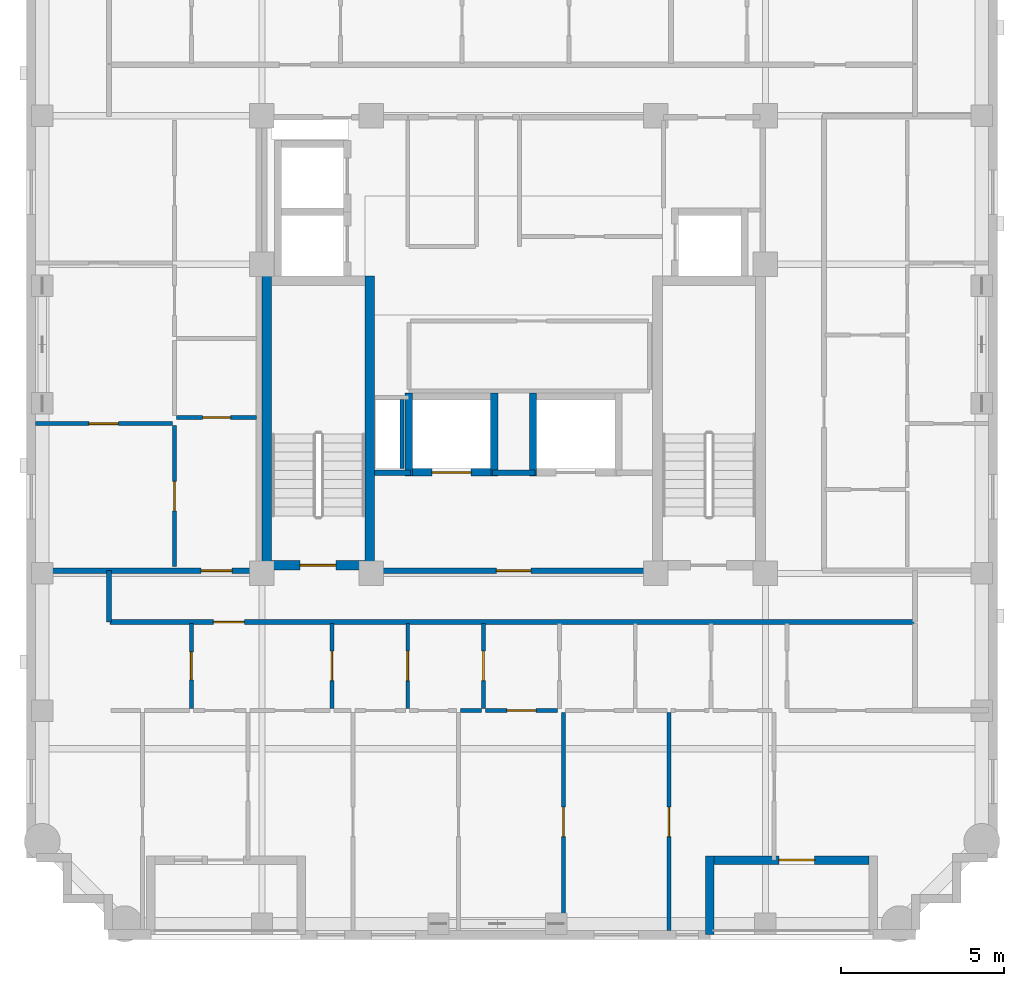
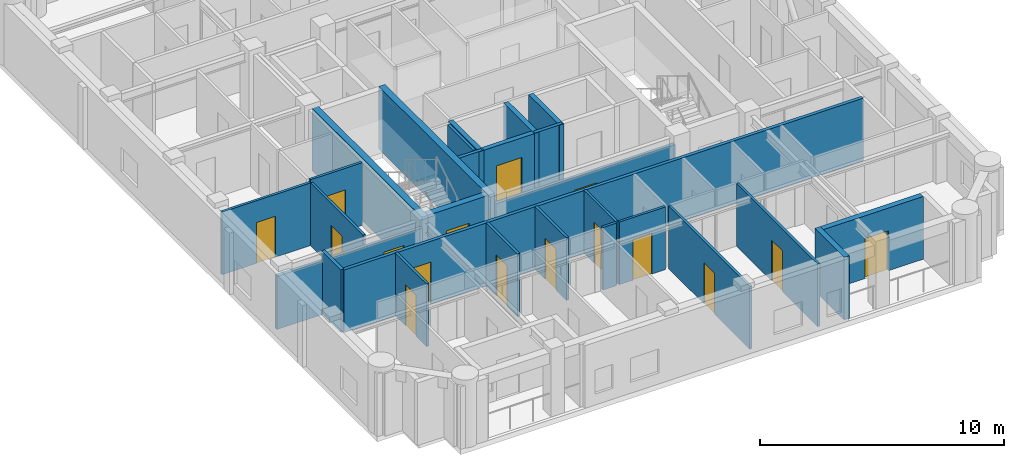
# One storey, part 3 of 11: 27 walls, 16 doors, 16 openings.
"""IFC4 building model written with IfcOpenShell, lengths in metres."""

from ifc_helpers import new_model, si_unit, derived_unit, direction, frame, frame_2d, origin, place, context, subcontext, project, spatial, rectangle, extrude, material, layer, layer_set, type_object, element, fill, save


model = new_model("IFC4")

# Units and contexts
model_context = context("Model", 3, precision=1e-05, world=origin(), true_north=direction((0.0, 1.0)))
body_context = subcontext(model_context, "Body", "Model", "MODEL_VIEW")
ifc_project = project(units=[si_unit("LENGTHUNIT", "METRE"), si_unit("AREAUNIT", "SQUARE_METRE"), si_unit("VOLUMEUNIT", "CUBIC_METRE"), si_unit("PLANEANGLEUNIT", "RADIAN"), si_unit("MASSUNIT", "GRAM", prefix="KILO"), derived_unit("THERMALTRANSMITTANCEUNIT", [(si_unit("MASSUNIT", "GRAM", prefix="KILO"), 1), (si_unit("TIMEUNIT", "SECOND"), -3), (si_unit("THERMODYNAMICTEMPERATUREUNIT", "KELVIN"), -1)])], contexts=[model_context])

# Site, building, storey
site_placement = place(None, origin())
site = spatial("IfcSite", under=ifc_project, at=site_placement, CompositionType="ELEMENT")
building_placement = place(site_placement, origin())
building = spatial("IfcBuilding", under=site, at=building_placement, Name="Korrvale Station Residences", CompositionType="ELEMENT")
storey_placement = place(building_placement, frame((0.0, 0.0, 224.10009765625)))
storey = spatial("IfcBuildingStorey", under=building, at=storey_placement, Name="L65", CompositionType="ELEMENT", Elevation=224.10009765625)

# Walls
ifc_material_1 = material(Name="Concrete C50/60", Category="concrete")
ifc_layer_1 = layer(ifc_material_1, 0.300048828125, Name="Concrete C50/60")
ifc_layer_set_1 = layer_set([ifc_layer_1], Name="Concrete C50/60")
wall_type_1 = type_object("IfcWallType", Name="WAL-CORE-300-C50", PredefinedType="SHEAR", material=ifc_layer_set_1)
for number, where, z_axis, x_axis, name in (
    (1, (17.949951171875, 15.10009765625, 0.0), (0.0, 0.0, 1.0), (0.0, 1.0, 0.0), "L65 ST-1 Core Shear Wall West"),
    (2, (21.10009765625, 15.10009765625, 0.0), (0.0, 0.0, 1.0), (0.0, 1.0, 0.0), "L65 ST-1 Core Shear Wall East"),
):
    element("IfcWall", number, at=place(storey_placement, frame(where, z_axis=z_axis, x_axis=x_axis)), inside=storey, type_object=wall_type_1, Name=name, PredefinedType="SHEAR", context=body_context, shape_type="SweptSolid", body=[
        extrude(rectangle(XDim=9.0, YDim=0.300048828125, at=frame_2d((4.5, 0.0))), origin(), (0.0, 0.0, 1.0), 3.139892578125),
    ])

# Wall, opening, door
wall_1_placement = place(storey_placement, frame((18.10009765625, 15.25, 0.0), z_axis=(0.0, 0.0, 1.0), x_axis=(1.0, 0.0, 0.0)))
wall_1 = element("IfcWall", 3, at=wall_1_placement, inside=storey, type_object=wall_type_1, Name="L65 ST-1 Core Shear Wall South", PredefinedType="SHEAR", context=body_context, shape_type="SweptSolid", body=[
    extrude(rectangle(XDim=2.849853515625, YDim=0.300048828125, at=frame_2d((1.4248046875, 0.0))), origin(), (0.0, 0.0, 1.0), 3.139892578125),
])
opening_1_placement = place(wall_1_placement, frame((0.860107421875, 0.0, 0.0)))
opening_1 = element("IfcOpeningElement", 4, at=opening_1_placement, cuts=wall_1, Name="Opening SD-1100", PredefinedType="OPENING", context=body_context, shape_type="SweptSolid", body=[
    extrude(rectangle(XDim=1.10009765625, YDim=2.050048828125, at=frame_2d((0.550048828125, 1.02490234375))), frame((0.0, 0.16015625, 0.0), z_axis=(0.0, -1.0, 0.0), x_axis=(1.0, 0.0, 0.0)), (0.0, 0.0, 1.0), 0.320068359375),
])
ifc_material_2 = material(Name="Hollow-metal fire-rated stair door with closer", Category="steel")
door_type_1 = type_object("IfcDoorType", Name="DR-STAIR-1100", OperationType="NOTDEFINED", PredefinedType="DOOR", material=ifc_material_2)
door_1_placement = place(opening_1_placement, origin())
door_1 = element("IfcDoor", 5, at=door_1_placement, inside=storey, type_object=door_type_1, Name="L65 ST-1 Exit Stair Door", OperationType="SINGLE_SWING_LEFT", OverallHeight=2.050048828125, OverallWidth=1.10009765625, PredefinedType="DOOR", context=body_context, shape_type="SweptSolid", body=[
    extrude(rectangle(XDim=1.10009765625, YDim=2.050048828125, at=frame_2d((0.550048828125, 1.02490234375))), frame((0.0, 0.02490234375, 0.0), z_axis=(0.0, -1.0, 0.0), x_axis=(1.0, 0.0, 0.0)), (0.0, 0.0, 1.0), 0.050048828125),
])
fill(opening_1, door_1)

ifc_material_3 = material(Name="Precast concrete C45/55", Category="concrete")
ifc_layer_2 = layer(ifc_material_3, 0.260009765625, Name="Precast concrete C45/55")
ifc_layer_set_2 = layer_set([ifc_layer_2], Name="Precast concrete C45/55")
wall_type_2 = type_object("IfcWallType", Name="WAL-EXT-LOG260", PredefinedType="SOLIDWALL", material=ifc_layer_set_2)
wall_2_placement = place(storey_placement, frame((36.365966796875, 6.22998046875, 0.0), z_axis=(0.0, 0.0, 1.0), x_axis=(-1.0, 0.0, 0.0)))
wall_2 = element("IfcWall", 6, at=wall_2_placement, inside=storey, type_object=wall_type_2, Name="L65 Recessed Loggia Wall BAL-L65-S2-B", PredefinedType="SOLIDWALL", context=body_context, shape_type="SweptSolid", body=[
    extrude(rectangle(XDim=4.73193359375, YDim=0.260009765625, at=frame_2d((2.365966796875, 0.0))), origin(), (0.0, 0.0, 1.0), 3.139892578125),
])
opening_2_placement = place(wall_2_placement, frame((1.656005859375, 0.0, 0.0)))
opening_2 = element("IfcOpeningElement", 7, at=opening_2_placement, cuts=wall_2, Name="Opening BD-01", PredefinedType="OPENING", context=body_context, shape_type="SweptSolid", body=[
    extrude(rectangle(XDim=1.10009765625, YDim=2.0, at=frame_2d((0.550048828125, 1.0))), frame((0.0, 0.14013671875, 0.0), z_axis=(0.0, -1.0, 0.0), x_axis=(1.0, 0.0, 0.0)), (0.0, 0.0, 1.0), 0.280029296875),
])
ifc_material_4 = material(Name="Exterior thermally broken aluminium glazed balcony door", Category="aluminium")
door_type_2 = type_object("IfcDoorType", Name="DR-EXT-BAL", OperationType="NOTDEFINED", PredefinedType="DOOR", material=ifc_material_4)
door_2_placement = place(opening_2_placement, origin())
door_2 = element("IfcDoor", 8, at=door_2_placement, inside=storey, type_object=door_type_2, Name="L65 Loggia Balcony Door BAL-L65-S2", OperationType="SINGLE_SWING_RIGHT", OverallHeight=2.0, OverallWidth=1.10009765625, PredefinedType="DOOR", context=body_context, shape_type="SweptSolid", body=[
    extrude(rectangle(XDim=1.10009765625, YDim=2.0, at=frame_2d((0.550048828125, 1.0))), frame((0.0, 0.02490234375, 0.0), z_axis=(0.0, -1.0, 0.0), x_axis=(1.0, 0.0, 0.0)), (0.0, 0.0, 1.0), 0.050048828125),
])
fill(opening_2, door_2)

# Walls
wall_3_placement = place(storey_placement, frame((31.5, 6.360107421875, 0.0), z_axis=(0.0, 0.0, 1.0), x_axis=(0.0, -1.0, 0.0)))
element("IfcWall", 9, at=wall_3_placement, inside=storey, type_object=wall_type_2, Name="L65 Recessed Loggia Wall BAL-L65-S2-R", PredefinedType="SOLIDWALL", context=body_context, shape_type="SweptSolid", body=[
    extrude(rectangle(XDim=2.400146484375, YDim=0.260009765625, at=frame_2d((1.2001953125, 0.0))), origin(), (0.0, 0.0, 1.0), 3.139892578125),
])
ifc_material_5 = material(Name="Acoustic steel-stud gypsum board partition", Category="steel")
ifc_layer_3 = layer(ifc_material_5, 0.1201171875, Name="Acoustic steel-stud gypsum board partition")
ifc_layer_set_3 = layer_set([ifc_layer_3], Name="Acoustic steel-stud gypsum board partition")
wall_type_3 = type_object("IfcWallType", Name="WAL-PART-125", PredefinedType="PARTITIONING", material=ifc_layer_set_3)
wall_4_placement = place(storey_placement, frame((22.080078125, 18.199951171875, 0.0), z_axis=(0.0, 0.0, 1.0), x_axis=(0.0, 1.0, 0.0)))
element("IfcWall", 10, at=wall_4_placement, inside=storey, type_object=wall_type_3, Name="L65 Core Partition CW-RSWT", PredefinedType="PARTITIONING", context=body_context, shape_type="SweptSolid", body=[
    extrude(rectangle(XDim=2.1201171875, YDim=0.1201171875, at=frame_2d((1.06005859375, 0.0))), origin(), (0.0, 0.0, 1.0), 3.139892578125),
])

# Wall, opening, door
wall_5_placement = place(storey_placement, frame((15.639892578125, 10.8701171875, 0.0), z_axis=(0.0, 0.0, 1.0), x_axis=(0.0, 1.0, 0.0)))
wall_5 = element("IfcWall", 11, at=wall_5_placement, inside=storey, type_object=wall_type_3, Name="L65 Suite Partition U01-V01", PredefinedType="PARTITIONING", context=body_context, shape_type="SweptSolid", body=[
    extrude(rectangle(XDim=2.599853515625, YDim=0.1201171875, at=frame_2d((1.2998046875, 0.0))), origin(), (0.0, 0.0, 1.0), 3.139892578125),
])
opening_3_placement = place(wall_5_placement, frame((0.8701171875, 0.0, 0.0)))
opening_3 = element("IfcOpeningElement", 12, at=opening_3_placement, cuts=wall_5, Name="Opening DB-860", PredefinedType="OPENING", context=body_context, shape_type="SweptSolid", body=[
    extrude(rectangle(XDim=0.860107421875, YDim=2.050048828125, at=frame_2d((0.43017578125, 1.02490234375))), frame((0.0, 0.070068359375, 0.0), z_axis=(0.0, -1.0, 0.0), x_axis=(1.0, 0.0, 0.0)), (0.0, 0.0, 1.0), 0.14013671875),
])
ifc_material_6 = material(Name="Moisture-resistant solid-core bathroom door", Category="timber")
door_type_3 = type_object("IfcDoorType", Name="DR-BATH-860", OperationType="NOTDEFINED", PredefinedType="DOOR", material=ifc_material_6)
door_3_placement = place(opening_3_placement, origin())
door_3 = element("IfcDoor", 13, at=door_3_placement, inside=storey, type_object=door_type_3, Name="L65 Studio Apartment L65-U01 Bathroom Door", OperationType="SINGLE_SWING_LEFT", OverallHeight=2.050048828125, OverallWidth=0.860107421875, PredefinedType="DOOR", context=body_context, shape_type="SweptSolid", body=[
    extrude(rectangle(XDim=0.860107421875, YDim=2.050048828125, at=frame_2d((0.43017578125, 1.02490234375))), frame((0.0, 0.02490234375, 0.0), z_axis=(0.0, -1.0, 0.0), x_axis=(1.0, 0.0, 0.0)), (0.0, 0.0, 1.0), 0.050048828125),
])
fill(opening_3, door_3)

wall_6_placement = place(storey_placement, frame((19.93994140625, 10.8701171875, 0.0), z_axis=(0.0, 0.0, 1.0), x_axis=(0.0, 1.0, 0.0)))
wall_6 = element("IfcWall", 14, at=wall_6_placement, inside=storey, type_object=wall_type_3, Name="L65 Suite Partition U01-V12", PredefinedType="PARTITIONING", context=body_context, shape_type="SweptSolid", body=[
    extrude(rectangle(XDim=2.599853515625, YDim=0.1201171875, at=frame_2d((1.2998046875, 0.0))), origin(), (0.0, 0.0, 1.0), 3.139892578125),
])
opening_4_placement = place(wall_6_placement, frame((0.85009765625, 0.0, 0.0)))
opening_4 = element("IfcOpeningElement", 15, at=opening_4_placement, cuts=wall_6, Name="Opening DI-900", PredefinedType="OPENING", context=body_context, shape_type="SweptSolid", body=[
    extrude(rectangle(XDim=0.89990234375, YDim=2.050048828125, at=frame_2d((0.449951171875, 1.02490234375))), frame((0.0, 0.070068359375, 0.0), z_axis=(0.0, -1.0, 0.0), x_axis=(1.0, 0.0, 0.0)), (0.0, 0.0, 1.0), 0.14013671875),
])
ifc_material_7 = material(Name="Painted solid-core timber interior room door", Category="wood")
door_type_4 = type_object("IfcDoorType", Name="DR-INT-900", OperationType="NOTDEFINED", PredefinedType="DOOR", material=ifc_material_7)
door_4_placement = place(opening_4_placement, origin())
door_4 = element("IfcDoor", 16, at=door_4_placement, inside=storey, type_object=door_type_4, Name="L65 Studio Apartment L65-U01 Kitchen Door", OperationType="SINGLE_SWING_RIGHT", OverallHeight=2.050048828125, OverallWidth=0.89990234375, PredefinedType="DOOR", context=body_context, shape_type="SweptSolid", body=[
    extrude(rectangle(XDim=0.89990234375, YDim=2.050048828125, at=frame_2d((0.449951171875, 1.02490234375))), frame((0.0, 0.02490234375, 0.0), z_axis=(0.0, -1.0, 0.0), x_axis=(1.0, 0.0, 0.0)), (0.0, 0.0, 1.0), 0.050048828125),
])
fill(opening_4, door_4)

wall_7_placement = place(storey_placement, frame((22.260009765625, 10.8701171875, 0.0), z_axis=(0.0, 0.0, 1.0), x_axis=(0.0, 1.0, 0.0)))
wall_7 = element("IfcWall", 17, at=wall_7_placement, inside=storey, type_object=wall_type_3, Name="L65 Suite Partition U01-V23", PredefinedType="PARTITIONING", context=body_context, shape_type="SweptSolid", body=[
    extrude(rectangle(XDim=2.599853515625, YDim=0.1201171875, at=frame_2d((1.2998046875, 0.0))), origin(), (0.0, 0.0, 1.0), 3.139892578125),
])
opening_5_placement = place(wall_7_placement, frame((0.85009765625, 0.0, 0.0)))
opening_5 = element("IfcOpeningElement", 18, at=opening_5_placement, cuts=wall_7, Name="Opening DI-900", PredefinedType="OPENING", context=body_context, shape_type="SweptSolid", body=[
    extrude(rectangle(XDim=0.89990234375, YDim=2.050048828125, at=frame_2d((0.449951171875, 1.02490234375))), frame((0.0, 0.070068359375, 0.0), z_axis=(0.0, -1.0, 0.0), x_axis=(1.0, 0.0, 0.0)), (0.0, 0.0, 1.0), 0.14013671875),
])
door_5_placement = place(opening_5_placement, origin())
door_5 = element("IfcDoor", 19, at=door_5_placement, inside=storey, type_object=door_type_4, Name="L65 Studio Apartment L65-U01 Wardrobe Storage Room Door", OperationType="SINGLE_SWING_LEFT", OverallHeight=2.050048828125, OverallWidth=0.89990234375, PredefinedType="DOOR", context=body_context, shape_type="SweptSolid", body=[
    extrude(rectangle(XDim=0.89990234375, YDim=2.050048828125, at=frame_2d((0.449951171875, 1.02490234375))), frame((0.0, 0.02490234375, 0.0), z_axis=(0.0, -1.0, 0.0), x_axis=(1.0, 0.0, 0.0)), (0.0, 0.0, 1.0), 0.050048828125),
])
fill(opening_5, door_5)

wall_8_placement = place(storey_placement, frame((24.580078125, 10.8701171875, 0.0), z_axis=(0.0, 0.0, 1.0), x_axis=(0.0, 1.0, 0.0)))
wall_8 = element("IfcWall", 20, at=wall_8_placement, inside=storey, type_object=wall_type_3, Name="L65 Suite Partition U01-V34", PredefinedType="PARTITIONING", context=body_context, shape_type="SweptSolid", body=[
    extrude(rectangle(XDim=2.599853515625, YDim=0.1201171875, at=frame_2d((1.2998046875, 0.0))), origin(), (0.0, 0.0, 1.0), 3.139892578125),
])
opening_6_placement = place(wall_8_placement, frame((0.85009765625, 0.0, 0.0)))
opening_6 = element("IfcOpeningElement", 21, at=opening_6_placement, cuts=wall_8, Name="Opening DI-900", PredefinedType="OPENING", context=body_context, shape_type="SweptSolid", body=[
    extrude(rectangle(XDim=0.89990234375, YDim=2.050048828125, at=frame_2d((0.449951171875, 1.02490234375))), frame((0.0, 0.070068359375, 0.0), z_axis=(0.0, -1.0, 0.0), x_axis=(1.0, 0.0, 0.0)), (0.0, 0.0, 1.0), 0.14013671875),
])
door_6_placement = place(opening_6_placement, origin())
door_6 = element("IfcDoor", 22, at=door_6_placement, inside=storey, type_object=door_type_4, Name="L65 Studio Apartment L65-U01 Wardrobe Storage Room Door", OperationType="SINGLE_SWING_LEFT", OverallHeight=2.050048828125, OverallWidth=0.89990234375, PredefinedType="DOOR", context=body_context, shape_type="SweptSolid", body=[
    extrude(rectangle(XDim=0.89990234375, YDim=2.050048828125, at=frame_2d((0.449951171875, 1.02490234375))), frame((0.0, 0.02490234375, 0.0), z_axis=(0.0, -1.0, 0.0), x_axis=(1.0, 0.0, 0.0)), (0.0, 0.0, 1.0), 0.050048828125),
])
fill(opening_6, door_6)

# Wall
wall_9_placement = place(storey_placement, frame((23.8701171875, 10.81005859375, 0.0), z_axis=(0.0, 0.0, 1.0), x_axis=(1.0, 0.0, 0.0)))
element("IfcWall", 23, at=wall_9_placement, inside=storey, type_object=wall_type_3, Name="L65 Suite Partition U01-H313", PredefinedType="PARTITIONING", context=body_context, shape_type="SweptSolid", body=[
    extrude(rectangle(XDim=0.64990234375, YDim=0.1201171875, at=frame_2d((0.324951171875, 0.0))), origin(), (0.0, 0.0, 1.0), 3.139892578125),
])

# Wall, opening, door
wall_10_placement = place(storey_placement, frame((24.639892578125, 10.81005859375, 0.0), z_axis=(0.0, 0.0, 1.0), x_axis=(1.0, 0.0, 0.0)))
wall_10 = element("IfcWall", 24, at=wall_10_placement, inside=storey, type_object=wall_type_3, Name="L65 Suite Partition U01-H413", PredefinedType="PARTITIONING", context=body_context, shape_type="SweptSolid", body=[
    extrude(rectangle(XDim=2.2001953125, YDim=0.1201171875, at=frame_2d((1.10009765625, 0.0))), origin(), (0.0, 0.0, 1.0), 3.139892578125),
])
opening_7_placement = place(wall_10_placement, frame((0.64990234375, 0.0, 0.0)))
opening_7 = element("IfcOpeningElement", 25, at=opening_7_placement, cuts=wall_10, Name="Opening DI-900", PredefinedType="OPENING", context=body_context, shape_type="SweptSolid", body=[
    extrude(rectangle(XDim=0.89990234375, YDim=2.050048828125, at=frame_2d((0.449951171875, 1.02490234375))), frame((0.0, 0.070068359375, 0.0), z_axis=(0.0, -1.0, 0.0), x_axis=(1.0, 0.0, 0.0)), (0.0, 0.0, 1.0), 0.14013671875),
])
door_7_placement = place(opening_7_placement, origin())
door_7 = element("IfcDoor", 26, at=door_7_placement, inside=storey, type_object=door_type_4, Name="L65 Studio Apartment L65-U01 Wardrobe Storage Room Door", OperationType="SINGLE_SWING_RIGHT", OverallHeight=2.050048828125, OverallWidth=0.89990234375, PredefinedType="DOOR", context=body_context, shape_type="SweptSolid", body=[
    extrude(rectangle(XDim=0.89990234375, YDim=2.050048828125, at=frame_2d((0.449951171875, 1.02490234375))), frame((0.0, 0.02490234375, 0.0), z_axis=(0.0, -1.0, 0.0), x_axis=(1.0, 0.0, 0.0)), (0.0, 0.0, 1.0), 0.050048828125),
])
fill(opening_7, door_7)

wall_11_placement = place(storey_placement, frame((27.030029296875, 4.080078125, 0.0), z_axis=(0.0, 0.0, 1.0), x_axis=(0.0, 1.0, 0.0)))
wall_11 = element("IfcWall", 27, at=wall_11_placement, inside=storey, type_object=wall_type_3, Name="L65 Suite Partition U01-V1314", PredefinedType="PARTITIONING", context=body_context, shape_type="SweptSolid", body=[
    extrude(rectangle(XDim=6.669921875, YDim=0.1201171875, at=frame_2d((3.3349609375, 0.0))), origin(), (0.0, 0.0, 1.0), 3.139892578125),
])
opening_8_placement = place(wall_11_placement, frame((2.8701171875, 0.0, 0.0)))
opening_8 = element("IfcOpeningElement", 28, at=opening_8_placement, cuts=wall_11, Name="Opening DI-900", PredefinedType="OPENING", context=body_context, shape_type="SweptSolid", body=[
    extrude(rectangle(XDim=0.89990234375, YDim=2.050048828125, at=frame_2d((0.449951171875, 1.02490234375))), frame((0.0, 0.070068359375, 0.0), z_axis=(0.0, -1.0, 0.0), x_axis=(1.0, 0.0, 0.0)), (0.0, 0.0, 1.0), 0.14013671875),
])
door_8_placement = place(opening_8_placement, origin())
door_8 = element("IfcDoor", 29, at=door_8_placement, inside=storey, type_object=door_type_4, Name="L65 Studio Apartment L65-U01 Walk-In Wardrobe Door", OperationType="SINGLE_SWING_RIGHT", OverallHeight=2.050048828125, OverallWidth=0.89990234375, PredefinedType="DOOR", context=body_context, shape_type="SweptSolid", body=[
    extrude(rectangle(XDim=0.89990234375, YDim=2.050048828125, at=frame_2d((0.449951171875, 1.02490234375))), frame((0.0, 0.02490234375, 0.0), z_axis=(0.0, -1.0, 0.0), x_axis=(1.0, 0.0, 0.0)), (0.0, 0.0, 1.0), 0.050048828125),
])
fill(opening_8, door_8)

wall_12_placement = place(storey_placement, frame((30.25, 4.080078125, 0.0), z_axis=(0.0, 0.0, 1.0), x_axis=(0.0, 1.0, 0.0)))
wall_12 = element("IfcWall", 30, at=wall_12_placement, inside=storey, type_object=wall_type_3, Name="L65 Suite Partition U01-V1415", PredefinedType="PARTITIONING", context=body_context, shape_type="SweptSolid", body=[
    extrude(rectangle(XDim=6.669921875, YDim=0.1201171875, at=frame_2d((3.3349609375, 0.0))), origin(), (0.0, 0.0, 1.0), 3.139892578125),
])
opening_9_placement = place(wall_12_placement, frame((2.8701171875, 0.0, 0.0)))
opening_9 = element("IfcOpeningElement", 31, at=opening_9_placement, cuts=wall_12, Name="Opening DI-900", PredefinedType="OPENING", context=body_context, shape_type="SweptSolid", body=[
    extrude(rectangle(XDim=0.89990234375, YDim=2.050048828125, at=frame_2d((0.449951171875, 1.02490234375))), frame((0.0, 0.070068359375, 0.0), z_axis=(0.0, -1.0, 0.0), x_axis=(1.0, 0.0, 0.0)), (0.0, 0.0, 1.0), 0.14013671875),
])
door_9_placement = place(opening_9_placement, origin())
door_9 = element("IfcDoor", 32, at=door_9_placement, inside=storey, type_object=door_type_4, Name="L65 Studio Apartment L65-U01 Formal Dining Room Door", OperationType="SINGLE_SWING_LEFT", OverallHeight=2.050048828125, OverallWidth=0.89990234375, PredefinedType="DOOR", context=body_context, shape_type="SweptSolid", body=[
    extrude(rectangle(XDim=0.89990234375, YDim=2.050048828125, at=frame_2d((0.449951171875, 1.02490234375))), frame((0.0, 0.02490234375, 0.0), z_axis=(0.0, -1.0, 0.0), x_axis=(1.0, 0.0, 0.0)), (0.0, 0.0, 1.0), 0.050048828125),
])
fill(opening_9, door_9)

wall_13_placement = place(storey_placement, frame((15.18994140625, 19.77001953125, 0.0), z_axis=(0.0, 0.0, 1.0), x_axis=(1.0, 0.0, 0.0)))
wall_13 = element("IfcWall", 33, at=wall_13_placement, inside=storey, type_object=wall_type_3, Name="L65 Suite Partition U04-H12", PredefinedType="PARTITIONING", context=body_context, shape_type="SweptSolid", body=[
    extrude(rectangle(XDim=2.449951171875, YDim=0.1201171875, at=frame_2d((1.22509765625, 0.0))), origin(), (0.0, 0.0, 1.0), 3.139892578125),
])
opening_10_placement = place(wall_13_placement, frame((0.794921875, 0.0, 0.0)))
opening_10 = element("IfcOpeningElement", 34, at=opening_10_placement, cuts=wall_13, Name="Opening DB-860", PredefinedType="OPENING", context=body_context, shape_type="SweptSolid", body=[
    extrude(rectangle(XDim=0.860107421875, YDim=2.050048828125, at=frame_2d((0.43017578125, 1.02490234375))), frame((0.0, 0.070068359375, 0.0), z_axis=(0.0, -1.0, 0.0), x_axis=(1.0, 0.0, 0.0)), (0.0, 0.0, 1.0), 0.14013671875),
])
door_10_placement = place(opening_10_placement, origin())
door_10 = element("IfcDoor", 35, at=door_10_placement, inside=storey, type_object=door_type_3, Name="L65 Apartment 2BR L65-U04 Bathroom Door", OperationType="SINGLE_SWING_LEFT", OverallHeight=2.050048828125, OverallWidth=0.860107421875, PredefinedType="DOOR", context=body_context, shape_type="SweptSolid", body=[
    extrude(rectangle(XDim=0.860107421875, YDim=2.050048828125, at=frame_2d((0.43017578125, 1.02490234375))), frame((0.0, 0.02490234375, 0.0), z_axis=(0.0, -1.0, 0.0), x_axis=(1.0, 0.0, 0.0)), (0.0, 0.0, 1.0), 0.050048828125),
])
fill(opening_10, door_10)

wall_14_placement = place(storey_placement, frame((15.1298828125, 15.2099609375, 0.0), z_axis=(0.0, 0.0, 1.0), x_axis=(0.0, 1.0, 0.0)))
wall_14 = element("IfcWall", 36, at=wall_14_placement, inside=storey, type_object=wall_type_3, Name="L65 Suite Partition U04-V23", PredefinedType="PARTITIONING", context=body_context, shape_type="SweptSolid", body=[
    extrude(rectangle(XDim=4.30810546875, YDim=0.1201171875, at=frame_2d((2.154052734375, 0.0))), origin(), (0.0, 0.0, 1.0), 3.139892578125),
])
opening_11_placement = place(wall_14_placement, frame((1.7041015625, 0.0, 0.0)))
opening_11 = element("IfcOpeningElement", 37, at=opening_11_placement, cuts=wall_14, Name="Opening DI-900", PredefinedType="OPENING", context=body_context, shape_type="SweptSolid", body=[
    extrude(rectangle(XDim=0.89990234375, YDim=2.050048828125, at=frame_2d((0.449951171875, 1.02490234375))), frame((0.0, 0.070068359375, 0.0), z_axis=(0.0, -1.0, 0.0), x_axis=(1.0, 0.0, 0.0)), (0.0, 0.0, 1.0), 0.14013671875),
])
door_11_placement = place(opening_11_placement, origin())
door_11 = element("IfcDoor", 38, at=door_11_placement, inside=storey, type_object=door_type_4, Name="L65 Apartment 2BR L65-U04 Kitchen Door", OperationType="SINGLE_SWING_RIGHT", OverallHeight=2.050048828125, OverallWidth=0.89990234375, PredefinedType="DOOR", context=body_context, shape_type="SweptSolid", body=[
    extrude(rectangle(XDim=0.89990234375, YDim=2.050048828125, at=frame_2d((0.449951171875, 1.02490234375))), frame((0.0, 0.02490234375, 0.0), z_axis=(0.0, -1.0, 0.0), x_axis=(1.0, 0.0, 0.0)), (0.0, 0.0, 1.0), 0.050048828125),
])
fill(opening_11, door_11)

wall_15_placement = place(storey_placement, frame((10.8798828125, 19.577880859375, 0.0), z_axis=(0.0, 0.0, 1.0), x_axis=(1.0, 0.0, 0.0)))
wall_15 = element("IfcWall", 39, at=wall_15_placement, inside=storey, type_object=wall_type_3, Name="L65 Suite Partition U04-H34", PredefinedType="PARTITIONING", context=body_context, shape_type="SweptSolid", body=[
    extrude(rectangle(XDim=4.190185546875, YDim=0.1201171875, at=frame_2d((2.09521484375, 0.0))), origin(), (0.0, 0.0, 1.0), 3.139892578125),
])
opening_12_placement = place(wall_15_placement, frame((1.6298828125, 0.0, 0.0)))
opening_12 = element("IfcOpeningElement", 40, at=opening_12_placement, cuts=wall_15, Name="Opening DI-900", PredefinedType="OPENING", context=body_context, shape_type="SweptSolid", body=[
    extrude(rectangle(XDim=0.89990234375, YDim=2.050048828125, at=frame_2d((0.449951171875, 1.02490234375))), frame((0.0, 0.070068359375, 0.0), z_axis=(0.0, -1.0, 0.0), x_axis=(1.0, 0.0, 0.0)), (0.0, 0.0, 1.0), 0.14013671875),
])
door_12_placement = place(opening_12_placement, origin())
door_12 = element("IfcDoor", 41, at=door_12_placement, inside=storey, type_object=door_type_4, Name="L65 Apartment 2BR L65-U04 Bedroom 1 Door", OperationType="SINGLE_SWING_LEFT", OverallHeight=2.050048828125, OverallWidth=0.89990234375, PredefinedType="DOOR", context=body_context, shape_type="SweptSolid", body=[
    extrude(rectangle(XDim=0.89990234375, YDim=2.050048828125, at=frame_2d((0.449951171875, 1.02490234375))), frame((0.0, 0.02490234375, 0.0), z_axis=(0.0, -1.0, 0.0), x_axis=(1.0, 0.0, 0.0)), (0.0, 0.0, 1.0), 0.050048828125),
])
fill(opening_12, door_12)

ifc_material_8 = material(Name="Fire-rated twin-stud gypsum and mineral wool shaftwall assembly", Category="gypsum")
ifc_layer_4 = layer(ifc_material_8, 0.159912109375, Name="Fire-rated twin-stud gypsum and mineral wool shaftwall assembly")
ifc_layer_set_4 = layer_set([ifc_layer_4], Name="Fire-rated twin-stud gypsum and mineral wool shaftwall assembly")
wall_type_4 = type_object("IfcWallType", Name="WAL-PART-200", PredefinedType="PARTITIONING", material=ifc_layer_set_4)
wall_16_placement = place(storey_placement, frame((21.25, 15.080078125, 0.0), z_axis=(0.0, 0.0, 1.0), x_axis=(1.0, 0.0, 0.0)))
wall_16 = element("IfcWall", 42, at=wall_16_placement, inside=storey, type_object=wall_type_4, Name="L65 Core Partition CW-FFL-S", PredefinedType="PARTITIONING", context=body_context, shape_type="SweptSolid", body=[
    extrude(rectangle(XDim=8.5, YDim=0.159912109375, at=frame_2d((4.25, 0.0))), origin(), (0.0, 0.0, 1.0), 2.66796875),
])
opening_13_placement = place(wall_16_placement, frame((3.72509765625, 0.0, 0.0)))
opening_13 = element("IfcOpeningElement", 43, at=opening_13_placement, cuts=wall_16, Name="Opening FD-1050", PredefinedType="OPENING", context=body_context, shape_type="SweptSolid", body=[
    extrude(rectangle(XDim=1.050048828125, YDim=2.050048828125, at=frame_2d((0.52490234375, 1.02490234375))), frame((0.0, 0.08984375, 0.0), z_axis=(0.0, -1.0, 0.0), x_axis=(1.0, 0.0, 0.0)), (0.0, 0.0, 1.0), 0.179931640625),
])
ifc_material_9 = material(Name="Fire-rated mineral-core timber lobby door", Category="wood")
door_type_5 = type_object("IfcDoorType", Name="DR-CORE-1050", OperationType="NOTDEFINED", PredefinedType="DOOR", material=ifc_material_9)
door_13_placement = place(opening_13_placement, origin())
door_13 = element("IfcDoor", 44, at=door_13_placement, inside=storey, type_object=door_type_5, Name="L65 Firefighting Lobby Entry Door", OperationType="SINGLE_SWING_RIGHT", OverallHeight=2.050048828125, OverallWidth=1.050048828125, PredefinedType="DOOR", context=body_context, shape_type="SweptSolid", body=[
    extrude(rectangle(XDim=1.050048828125, YDim=2.050048828125, at=frame_2d((0.52490234375, 1.02490234375))), frame((0.0, 0.02490234375, 0.0), z_axis=(0.0, -1.0, 0.0), x_axis=(1.0, 0.0, 0.0)), (0.0, 0.0, 1.0), 0.050048828125),
])
fill(opening_13, door_13)

# Walls
wall_17_placement = place(storey_placement, frame((21.25, 18.080078125, 0.0), z_axis=(0.0, 0.0, 1.0), x_axis=(1.0, 0.0, 0.0)))
element("IfcWall", 45, at=wall_17_placement, inside=storey, type_object=wall_type_4, Name="L65 Core Partition CW-FFL-N1", PredefinedType="PARTITIONING", context=body_context, shape_type="SweptSolid", body=[
    extrude(rectangle(XDim=1.10009765625, YDim=0.159912109375, at=frame_2d((0.550048828125, 0.0))), origin(), (0.0, 0.0, 1.0), 3.139892578125),
])
wall_18_placement = place(storey_placement, frame((24.85009765625, 18.080078125, 0.0), z_axis=(0.0, 0.0, 1.0), x_axis=(1.0, 0.0, 0.0)))
element("IfcWall", 46, at=wall_18_placement, inside=storey, type_object=wall_type_4, Name="L65 Core Partition CW-FFL-N2", PredefinedType="PARTITIONING", context=body_context, shape_type="SweptSolid", body=[
    extrude(rectangle(XDim=1.2998046875, YDim=0.159912109375, at=frame_2d((0.64990234375, 0.0))), origin(), (0.0, 0.0, 1.0), 3.139892578125),
])
wall_19_placement = place(storey_placement, frame((13.1201171875, 13.510009765625, 0.0), z_axis=(0.0, 0.0, 1.0), x_axis=(0.0, 1.0, 0.0)))
element("IfcWall", 47, at=wall_19_placement, inside=storey, type_object=wall_type_4, Name="L65 Corridor South West Cap", PredefinedType="PARTITIONING", context=body_context, shape_type="SweptSolid", body=[
    extrude(rectangle(XDim=1.580078125, YDim=0.159912109375, at=frame_2d((0.7900390625, 0.0))), origin(), (0.0, 0.0, 1.0), 3.139892578125),
])

# Wall, opening, door
wall_20_placement = place(storey_placement, frame((10.8798828125, 15.080078125, 0.0), z_axis=(0.0, 0.0, 1.0), x_axis=(1.0, 0.0, 0.0)))
wall_20 = element("IfcWall", 48, at=wall_20_placement, inside=storey, type_object=wall_type_4, Name="L65 Side Suite South Entry Wall U04", PredefinedType="PARTITIONING", context=body_context, shape_type="SweptSolid", body=[
    extrude(rectangle(XDim=6.880126953125, YDim=0.159912109375, at=frame_2d((3.43994140625, 0.0))), origin(), (0.0, 0.0, 1.0), 2.66796875),
])
opening_14_placement = place(wall_20_placement, frame((5.06005859375, 0.0, 0.0)))
opening_14 = element("IfcOpeningElement", 49, at=opening_14_placement, cuts=wall_20, Name="Opening UD-950", PredefinedType="OPENING", context=body_context, shape_type="SweptSolid", body=[
    extrude(rectangle(XDim=0.949951171875, YDim=2.10009765625, at=frame_2d((0.47509765625, 1.050048828125))), frame((0.0, 0.08984375, 0.0), z_axis=(0.0, -1.0, 0.0), x_axis=(1.0, 0.0, 0.0)), (0.0, 0.0, 1.0), 0.179931640625),
])
ifc_material_10 = material(Name="Solid-core acoustic oak apartment entrance door", Category="timber")
door_type_6 = type_object("IfcDoorType", Name="DR-UNIT-950", OperationType="NOTDEFINED", PredefinedType="DOOR", material=ifc_material_10)
door_14_placement = place(opening_14_placement, origin())
door_14 = element("IfcDoor", 50, at=door_14_placement, inside=storey, type_object=door_type_6, Name="L65 Apartment L65-U04 Entrance Door", OperationType="SINGLE_SWING_RIGHT", OverallHeight=2.10009765625, OverallWidth=0.949951171875, PredefinedType="DOOR", context=body_context, shape_type="SweptSolid", body=[
    extrude(rectangle(XDim=0.949951171875, YDim=2.10009765625, at=frame_2d((0.47509765625, 1.050048828125))), frame((0.0, 0.02490234375, 0.0), z_axis=(0.0, -1.0, 0.0), x_axis=(1.0, 0.0, 0.0)), (0.0, 0.0, 1.0), 0.050048828125),
])
fill(opening_14, door_14)

wall_21_placement = place(storey_placement, frame((13.14990234375, 13.510009765625, 0.0), z_axis=(0.0, 0.0, 1.0), x_axis=(1.0, 0.0, 0.0)))
wall_21 = element("IfcWall", 51, at=wall_21_placement, inside=storey, type_object=wall_type_4, Name="L65 Rated Corridor Wall S", PredefinedType="PARTITIONING", context=body_context, shape_type="SweptSolid", body=[
    extrude(rectangle(XDim=24.60009765625, YDim=0.159912109375, at=frame_2d((12.300048828125, 0.0))), origin(), (0.0, 0.0, 1.0), 3.139892578125),
])
opening_15_placement = place(wall_21_placement, frame((3.1650390625, 0.0, 0.0)))
opening_15 = element("IfcOpeningElement", 52, at=opening_15_placement, cuts=wall_21, Name="Opening UD-950", PredefinedType="OPENING", context=body_context, shape_type="SweptSolid", body=[
    extrude(rectangle(XDim=0.949951171875, YDim=2.10009765625, at=frame_2d((0.47509765625, 1.050048828125))), frame((0.0, 0.08984375, 0.0), z_axis=(0.0, -1.0, 0.0), x_axis=(1.0, 0.0, 0.0)), (0.0, 0.0, 1.0), 0.179931640625),
])
door_15_placement = place(opening_15_placement, origin())
door_15 = element("IfcDoor", 53, at=door_15_placement, inside=storey, type_object=door_type_6, Name="L65 Apartment L65-U01 Entrance Door", OperationType="SINGLE_SWING_LEFT", OverallHeight=2.10009765625, OverallWidth=0.949951171875, PredefinedType="DOOR", context=body_context, shape_type="SweptSolid", body=[
    extrude(rectangle(XDim=0.949951171875, YDim=2.10009765625, at=frame_2d((0.47509765625, 1.050048828125))), frame((0.0, 0.02490234375, 0.0), z_axis=(0.0, -1.0, 0.0), x_axis=(1.0, 0.0, 0.0)), (0.0, 0.0, 1.0), 0.050048828125),
])
fill(opening_15, door_15)

ifc_layer_5 = layer(ifc_material_1, 0.219970703125, Name="Concrete C50/60")
ifc_layer_set_5 = layer_set([ifc_layer_5], Name="Concrete C50/60")
wall_type_5 = type_object("IfcWallType", Name="WAL-SHAFT-220-C50", PredefinedType="SHEAR", material=ifc_layer_set_5)
wall_22_placement = place(storey_placement, frame((22.39990234375, 18.090087890625, 0.0), z_axis=(0.0, 0.0, 1.0), x_axis=(1.0, 0.0, 0.0)))
wall_22 = element("IfcWall", 54, at=wall_22_placement, inside=storey, type_object=wall_type_5, Name="L65 Elevator FFL-1 Hoistway Wall South", PredefinedType="SHEAR", context=body_context, shape_type="SweptSolid", body=[
    extrude(rectangle(XDim=2.400146484375, YDim=0.219970703125, at=frame_2d((1.2001953125, 0.0))), origin(), (0.0, 0.0, 1.0), 3.139892578125),
])
opening_16_placement = place(wall_22_placement, frame((0.60009765625, 0.0, 0.0)))
opening_16 = element("IfcOpeningElement", 55, at=opening_16_placement, cuts=wall_22, Name="Opening LD-FF1200", PredefinedType="OPENING", context=body_context, shape_type="SweptSolid", body=[
    extrude(rectangle(XDim=1.199951171875, YDim=2.14990234375, at=frame_2d((0.60009765625, 1.074951171875))), frame((0.0, 0.1201171875, 0.0), z_axis=(0.0, -1.0, 0.0), x_axis=(1.0, 0.0, 0.0)), (0.0, 0.0, 1.0), 0.239990234375),
])
ifc_material_11 = material(Name="Stainless-steel firefighter elevator landing sliding door", Category="steel")
door_type_7 = type_object("IfcDoorType", Name="DR-LIFT-FF1200", OperationType="SLIDING_TO_LEFT", PredefinedType="DOOR", material=ifc_material_11)
door_16_placement = place(opening_16_placement, origin())
door_16 = element("IfcDoor", 56, at=door_16_placement, inside=storey, type_object=door_type_7, Name="L65 Elevator FFL-1 Sliding Landing Door", OperationType="SLIDING_TO_LEFT", OverallHeight=2.14990234375, OverallWidth=1.199951171875, PredefinedType="DOOR", context=body_context, shape_type="SweptSolid", body=[
    extrude(rectangle(XDim=1.199951171875, YDim=2.14990234375, at=frame_2d((0.60009765625, 1.074951171875))), frame((0.0, 0.02490234375, 0.0), z_axis=(0.0, -1.0, 0.0), x_axis=(1.0, 0.0, 0.0)), (0.0, 0.0, 1.0), 0.050048828125),
])
fill(opening_16, door_16)

# Walls
for number, where, z_axis, x_axis, name in (
    (57, (22.2900390625, 17.97998046875, 0.0), (0.0, 0.0, 1.0), (0.0, 1.0, 0.0), "L65 Elevator FFL-1 Hoistway Wall West"),
    (58, (24.909912109375, 17.97998046875, 0.0), (0.0, 0.0, 1.0), (0.0, 1.0, 0.0), "L65 Elevator FFL-1 Hoistway Wall East"),
    (59, (26.090087890625, 17.97998046875, 0.0), (0.0, 0.0, 1.0), (0.0, 1.0, 0.0), "L65 Elevator FFL-2 Hoistway Wall West"),
):
    element("IfcWall", number, at=place(storey_placement, frame(where, z_axis=z_axis, x_axis=x_axis)), inside=storey, type_object=wall_type_5, Name=name, PredefinedType="SHEAR", context=body_context, shape_type="SweptSolid", body=[
        extrude(rectangle(XDim=2.5400390625, YDim=0.219970703125, at=frame_2d((1.27001953125, 0.0))), origin(), (0.0, 0.0, 1.0), 3.139892578125),
    ])

save(model, "model.ifc")
